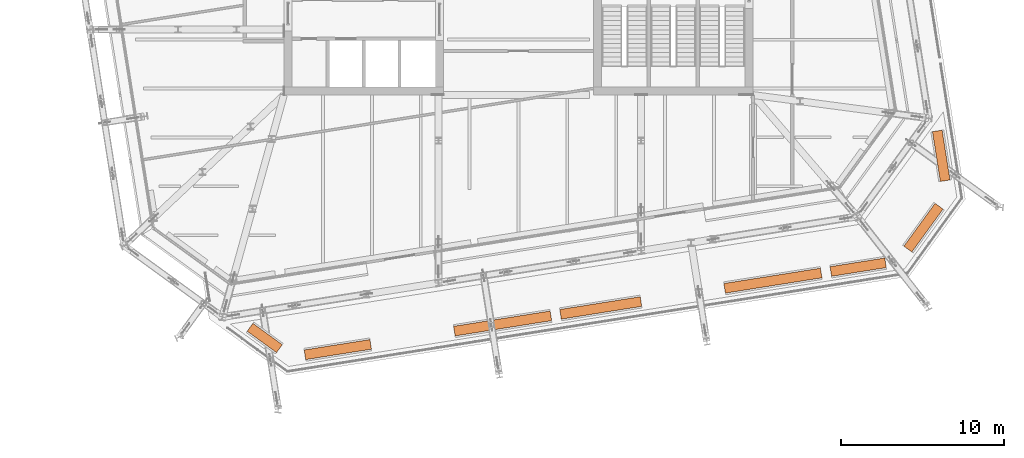
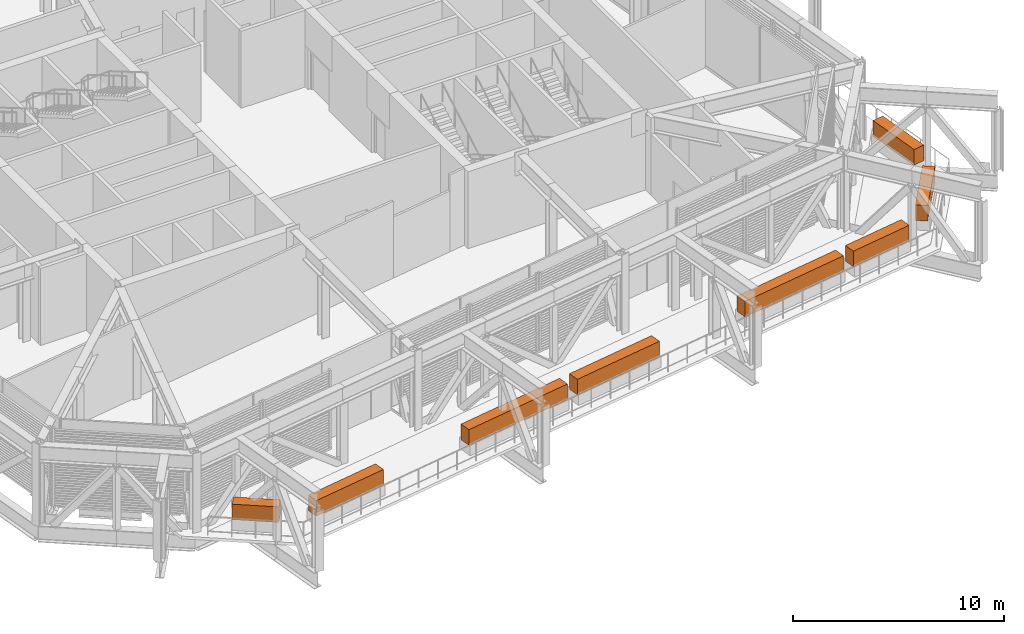
# One storey, part 35 of 35: 8 geographic elements.
"""IFC4 building model written with IfcOpenShell, lengths in metres."""

from ifc_helpers import new_model, si_unit, direction, frame, origin, origin_2d, place, context, subcontext, project, spatial, rectangle, extrude, material, type_object, element, save


model = new_model("IFC4")

# Units and contexts
model_context = context("Model", 3, precision=1e-05, world=origin(), true_north=direction((0.0, 1.0)))
body_context = subcontext(model_context, "Body", "Model", "MODEL_VIEW")
ifc_project = project(units=[si_unit("LENGTHUNIT", "METRE"), si_unit("AREAUNIT", "SQUARE_METRE"), si_unit("VOLUMEUNIT", "CUBIC_METRE"), si_unit("PLANEANGLEUNIT", "RADIAN"), si_unit("MASSUNIT", "GRAM", prefix="KILO")], contexts=[model_context])

# Site, building, storey
site_placement = place(None, origin())
site = spatial("IfcSite", under=ifc_project, at=site_placement, CompositionType="ELEMENT")
building_placement = place(site_placement, origin())
building = spatial("IfcBuilding", under=site, at=building_placement, Name="Millrace Tower", CompositionType="ELEMENT")
storey_placement = place(building_placement, frame((0.0, 0.0, 200.10009765625)))
storey = spatial("IfcBuildingStorey", under=building, at=storey_placement, Name="L45", CompositionType="ELEMENT", Elevation=200.10009765625)

# Geographic elements
ifc_material = material(Name="Planting shrub bed")
geographic_element_type = type_object("IfcGeographicElementType", Name="Shrub bed", PredefinedType="USERDEFINED", material=ifc_material)
geographic_element_1_placement = place(storey_placement, frame((-15.577392578125, -24.31494140625, 0.58984375), z_axis=(0.0, 0.0, 1.0), x_axis=(0.809017019837, -0.587785217247, 0.0)))
element("IfcGeographicElement", 1, at=geographic_element_1_placement, inside=storey, type_object=geographic_element_type, Name="Shrub bed T-L44-1-1-0-0", ObjectType="SHRUB", PredefinedType="USERDEFINED", context=body_context, shape_type="SweptSolid", body=[
    extrude(rectangle(XDim=2.228759765625, YDim=0.60009765625, at=origin_2d()), origin(), (0.0, 0.0, 1.0), 0.89990234375),
])
geographic_element_2_placement = place(storey_placement, frame((-11.09033203125, -25.0263671875, 0.58984375), z_axis=(0.0, 0.0, 1.0), x_axis=(0.9876883381, 0.156434480796, 0.0)))
element("IfcGeographicElement", 2, at=geographic_element_2_placement, inside=storey, type_object=geographic_element_type, Name="Shrub bed T-L44-1-1-1-0", ObjectType="SHRUB", PredefinedType="USERDEFINED", context=body_context, shape_type="SweptSolid", body=[
    extrude(rectangle(XDim=4.08740234375, YDim=0.60009765625, at=origin_2d()), origin(), (0.0, 0.0, 1.0), 0.89990234375),
])
geographic_element_3_placement = place(storey_placement, frame((-0.97265625, -23.423828125, 0.58984375), z_axis=(0.0, 0.0, 1.0), x_axis=(0.9876883381, 0.156434480796, 0.0)))
element("IfcGeographicElement", 3, at=geographic_element_3_placement, inside=storey, type_object=geographic_element_type, Name="Shrub bed T-L44-1-1-1-1", ObjectType="SHRUB", PredefinedType="USERDEFINED", context=body_context, shape_type="SweptSolid", body=[
    extrude(rectangle(XDim=6.0, YDim=0.60009765625, at=origin_2d()), origin(), (0.0, 0.0, 1.0), 0.89990234375),
])
geographic_element_4_placement = place(storey_placement, frame((5.05224609375, -22.4697265625, 0.58984375), z_axis=(0.0, 0.0, 1.0), x_axis=(0.9876883381, 0.156434480796, 0.0)))
element("IfcGeographicElement", 4, at=geographic_element_4_placement, inside=storey, type_object=geographic_element_type, Name="Shrub bed T-L44-1-1-1-2", ObjectType="SHRUB", PredefinedType="USERDEFINED", context=body_context, shape_type="SweptSolid", body=[
    extrude(rectangle(XDim=5.0, YDim=0.60009765625, at=origin_2d()), origin(), (0.0, 0.0, 1.0), 0.89990234375),
])
geographic_element_5_placement = place(storey_placement, frame((15.62060546875, -20.7958984375, 0.58984375), z_axis=(0.0, 0.0, 1.0), x_axis=(0.9876883381, 0.156434480796, 0.0)))
element("IfcGeographicElement", 5, at=geographic_element_5_placement, inside=storey, type_object=geographic_element_type, Name="Shrub bed T-L44-1-1-1-3", ObjectType="SHRUB", PredefinedType="USERDEFINED", context=body_context, shape_type="SweptSolid", body=[
    extrude(rectangle(XDim=6.0, YDim=0.60009765625, at=origin_2d()), origin(), (0.0, 0.0, 1.0), 0.89990234375),
])
geographic_element_6_placement = place(storey_placement, frame((20.8544921875, -19.966796875, 0.58984375), z_axis=(0.0, 0.0, 1.0), x_axis=(0.9876883381, 0.156434480796, 0.0)))
element("IfcGeographicElement", 6, at=geographic_element_6_placement, inside=storey, type_object=geographic_element_type, Name="Shrub bed T-L44-1-1-1-4", ObjectType="SHRUB", PredefinedType="USERDEFINED", context=body_context, shape_type="SweptSolid", body=[
    extrude(rectangle(XDim=3.398193359375, YDim=0.60009765625, at=origin_2d()), origin(), (0.0, 0.0, 1.0), 0.89990234375),
])
geographic_element_7_placement = place(storey_placement, frame((24.86328125, -17.54248046875, 0.58984375), z_axis=(0.0, 0.0, 1.0), x_axis=(0.587785242423, 0.809017001546, 0.0)))
element("IfcGeographicElement", 7, at=geographic_element_7_placement, inside=storey, type_object=geographic_element_type, Name="Shrub bed T-L44-1-1-2-0", ObjectType="SHRUB", PredefinedType="USERDEFINED", context=body_context, shape_type="SweptSolid", body=[
    extrude(rectangle(XDim=3.2548828125, YDim=0.60009765625, at=origin_2d()), origin(), (0.0, 0.0, 1.0), 0.89990234375),
])
geographic_element_8_placement = place(storey_placement, frame((25.9541015625, -13.130615234375, 0.58984375), z_axis=(0.0, 0.0, 1.0), x_axis=(-0.156434506395, 0.987688334045, 0.0)))
element("IfcGeographicElement", 8, at=geographic_element_8_placement, inside=storey, type_object=geographic_element_type, Name="Shrub bed T-L44-1-1-3-0", ObjectType="SHRUB", PredefinedType="USERDEFINED", context=body_context, shape_type="SweptSolid", body=[
    extrude(rectangle(XDim=3.094482421875, YDim=0.60009765625, at=origin_2d()), origin(), (0.0, 0.0, 1.0), 0.89990234375),
])

save(model, "model.ifc")
